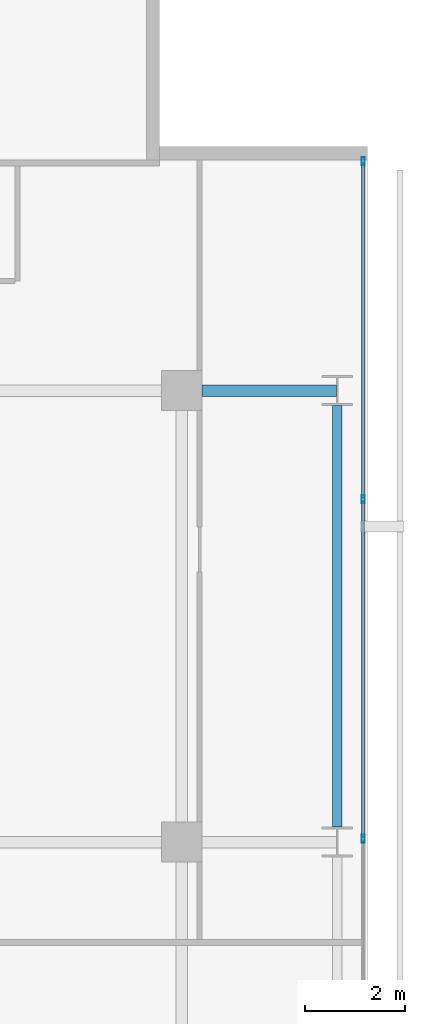
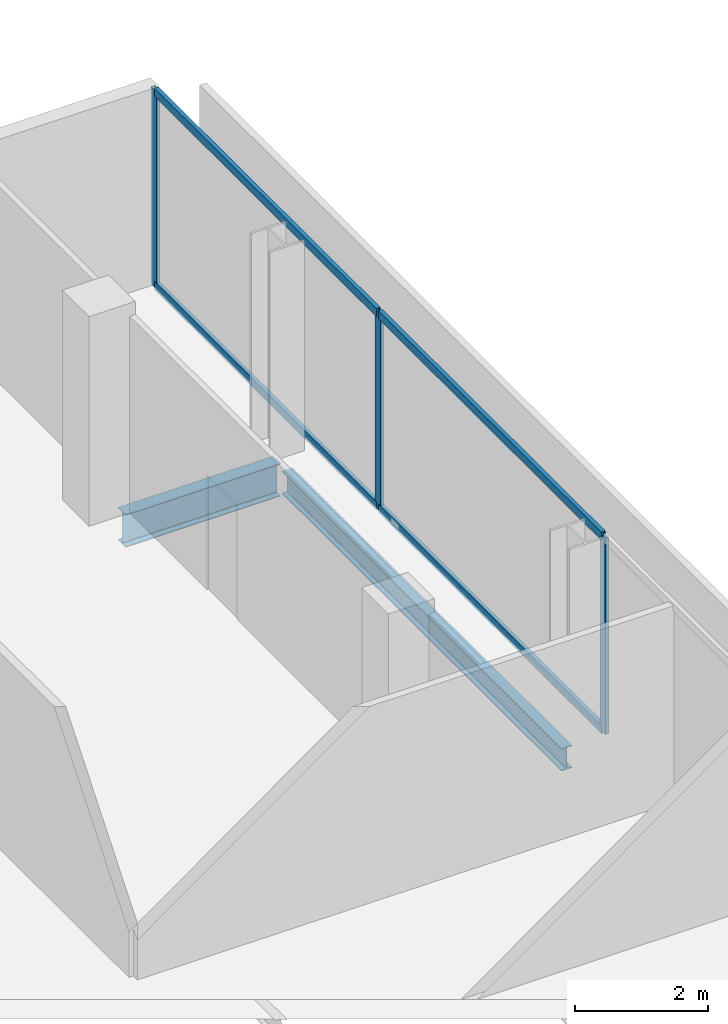
# One storey, part 24 of 33: 7 members, 2 beams, 1 element without a shape of its own.
"""IFC4 building model written with IfcOpenShell, lengths in metres."""

from ifc_helpers import new_model, si_unit, direction, frame, origin, origin_2d, place, context, subcontext, project, spatial, hollow_rectangle, i_section, extrude, material, layer, layer_set, material_profile, profile_set, type_object, element, aggregate, save


model = new_model("IFC4")

# Units and contexts
model_context = context("Model", 3, precision=1e-05, world=origin(), true_north=direction((0.0, 1.0)))
body_context = subcontext(model_context, "Body", "Model", "MODEL_VIEW")
ifc_project = project(units=[si_unit("LENGTHUNIT", "METRE"), si_unit("AREAUNIT", "SQUARE_METRE"), si_unit("VOLUMEUNIT", "CUBIC_METRE"), si_unit("PLANEANGLEUNIT", "RADIAN"), si_unit("MASSUNIT", "GRAM", prefix="KILO")], contexts=[model_context])

# Site, building, storey
site_placement = place(None, origin())
site = spatial("IfcSite", under=ifc_project, at=site_placement, CompositionType="ELEMENT")
building_placement = place(site_placement, origin())
building = spatial("IfcBuilding", under=site, at=building_placement, Name="Maruvema Waterfront Hotel and Observation Tower", CompositionType="ELEMENT")
storey_placement = place(building_placement, frame((0.0, 0.0, 169.75)))
storey = spatial("IfcBuildingStorey", under=building, at=storey_placement, Name="L41", CompositionType="ELEMENT", Elevation=169.75)

# Curtain wall, members
ifc_material_1 = material(Name="Anodised bronze aluminium and solar-control low-E IGU", Category="aluminium")
ifc_layer = layer(ifc_material_1, 0.159912109375, Name="Zone 2 Amber Inner Thermal Curtain Wall System CW-03")
ifc_layer_set = layer_set([ifc_layer], Name="Anodised bronze aluminium and solar-control low-E IGU")
curtain_wall_type = type_object("IfcCurtainWallType", Name="Zone 2 Amber Inner Thermal Curtain Wall System CW-03", PredefinedType="USERDEFINED", material=ifc_layer_set)
curtain_wall_placement = place(storey_placement, origin())
curtain_wall = element("IfcCurtainWall", 1, at=curtain_wall_placement, inside=storey, type_object=curtain_wall_type, Name="L41 Curtain Wall CW-L41-E", ObjectType="UNITISED CURTAIN WALL", PredefinedType="USERDEFINED")
ifc_material_2 = material(Name="Anodised architectural bronze aluminium", Category="aluminium")
ifc_material_profile_1 = material_profile(ifc_material_2, hollow_rectangle(XDim=0.070068359375, YDim=0.14990234375, WallThickness=0.00390625, at=origin_2d()), Name="ALU-T70x150")
ifc_profile_set_1 = profile_set([ifc_material_profile_1], Name="Anodised architectural bronze aluminium")
member_type_1 = type_object("IfcMemberType", Name="Curtain Wall Horizontal Transom ALU-T70x150", PredefinedType="USERDEFINED", material=ifc_profile_set_1)
member_1_placement = place(storey_placement, frame((62.419921875, 36.0966796875, 0.030029296875), z_axis=(0.0, 1.0, 0.0), x_axis=(-1.0, 0.0, 0.0)))
member_1 = element("IfcMember", 2, at=member_1_placement, type_object=member_type_1, Name="CW-03 transom 5.1", ObjectType="TRANSOM", PredefinedType="USERDEFINED", context=body_context, shape_type="SweptSolid", body=[
    extrude(hollow_rectangle(XDim=0.070068359375, YDim=0.14990234375, WallThickness=0.00390625, at=origin_2d()), origin(), (0.0, 0.0, 1.0), 6.70654296875),
])
member_2_placement = place(storey_placement, frame((62.419921875, 36.0966796875, 3.580078125), z_axis=(0.0, 1.0, 0.0), x_axis=(-1.0, 0.0, 0.0)))
member_2 = element("IfcMember", 3, at=member_2_placement, type_object=member_type_1, Name="CW-03 transom 5.2", ObjectType="TRANSOM", PredefinedType="USERDEFINED", context=body_context, shape_type="SweptSolid", body=[
    extrude(hollow_rectangle(XDim=0.070068359375, YDim=0.14990234375, WallThickness=0.00390625, at=origin_2d()), origin(), (0.0, 0.0, 1.0), 6.70654296875),
])
member_3_placement = place(storey_placement, frame((62.419921875, 42.86328125, 0.030029296875), z_axis=(0.0, 1.0, 0.0), x_axis=(-1.0, 0.0, 0.0)))
member_3 = element("IfcMember", 4, at=member_3_placement, type_object=member_type_1, Name="CW-03 transom 6.1", ObjectType="TRANSOM", PredefinedType="USERDEFINED", context=body_context, shape_type="SweptSolid", body=[
    extrude(hollow_rectangle(XDim=0.070068359375, YDim=0.14990234375, WallThickness=0.00390625, at=origin_2d()), origin(), (0.0, 0.0, 1.0), 6.6767578125),
])
member_4_placement = place(storey_placement, frame((62.419921875, 42.86328125, 3.580078125), z_axis=(0.0, 1.0, 0.0), x_axis=(-1.0, 0.0, 0.0)))
member_4 = element("IfcMember", 5, at=member_4_placement, type_object=member_type_1, Name="CW-03 transom 6.2", ObjectType="TRANSOM", PredefinedType="USERDEFINED", context=body_context, shape_type="SweptSolid", body=[
    extrude(hollow_rectangle(XDim=0.070068359375, YDim=0.14990234375, WallThickness=0.00390625, at=origin_2d()), origin(), (0.0, 0.0, 1.0), 6.6767578125),
])
ifc_material_3 = material(Name="Anodised architectural bronze aluminium", Category="aluminium")
ifc_material_profile_2 = material_profile(ifc_material_3, hollow_rectangle(XDim=0.06494140625, YDim=0.1650390625, WallThickness=0.00390625, at=origin_2d()), Name="ALU-M65x165")
ifc_profile_set_2 = profile_set([ifc_material_profile_2], Name="Anodised architectural bronze aluminium")
member_type_2 = type_object("IfcMemberType", Name="Curtain Wall Primary Mullion ALU-M65x165", PredefinedType="MULLION", material=ifc_profile_set_2)
member_5_placement = place(storey_placement, frame((62.419921875, 36.066650390625, 0.0), z_axis=(0.0, 0.0, 1.0), x_axis=(-1.0, 0.0, 0.0)))
member_5 = element("IfcMember", 6, at=member_5_placement, type_object=member_type_2, Name="CW-03 mullion 5", PredefinedType="MULLION", context=body_context, shape_type="SweptSolid", body=[
    extrude(hollow_rectangle(XDim=0.06494140625, YDim=0.1650390625, WallThickness=0.00390625, at=origin_2d()), origin(), (0.0, 0.0, 1.0), 3.610107421875),
])
member_6_placement = place(storey_placement, frame((62.419921875, 42.833251953125, 0.0), z_axis=(0.0, 0.0, 1.0), x_axis=(-1.0, 0.0, 0.0)))
member_6 = element("IfcMember", 7, at=member_6_placement, type_object=member_type_2, Name="CW-03 mullion 6", PredefinedType="MULLION", context=body_context, shape_type="SweptSolid", body=[
    extrude(hollow_rectangle(XDim=0.06494140625, YDim=0.1650390625, WallThickness=0.00390625, at=origin_2d()), origin(), (0.0, 0.0, 1.0), 3.610107421875),
])
member_7_placement = place(storey_placement, frame((62.419921875, 49.570068359375, 0.0), z_axis=(0.0, 0.0, 1.0), x_axis=(-1.0, 0.0, 0.0)))
member_7 = element("IfcMember", 8, at=member_7_placement, type_object=member_type_2, Name="CW-03 mullion 7", PredefinedType="MULLION", context=body_context, shape_type="SweptSolid", body=[
    extrude(hollow_rectangle(XDim=0.06494140625, YDim=0.1650390625, WallThickness=0.00390625, at=origin_2d()), origin(), (0.0, 0.0, 1.0), 3.610107421875),
])
aggregate(curtain_wall, [member_5, member_6, member_7, member_1, member_2, member_3, member_4])

# Beams
ifc_material_4 = material(Name="Steel ASTM A572 Grade 50", Category="steel")
ifc_material_profile_3 = material_profile(ifc_material_4, i_section(OverallWidth=0.180908203125, OverallDepth=0.4169921875, WebThickness=0.010986328125, FlangeThickness=0.018310546875, FilletRadius=0.014892578125, at=origin_2d()), Name="W410x85.0")
ifc_profile_set_3 = profile_set([ifc_material_profile_3], Name="Steel ASTM A572 Grade 50")
beam_type_1 = type_object("IfcBeamType", Name="Perimeter Spandrel Beam W410x85.0", PredefinedType="SPANDREL", material=ifc_profile_set_3)
beam_1_placement = place(storey_placement, frame((61.89990234375, 36.300048828125, -0.448486328125), z_axis=(0.0, 1.0, 0.0), x_axis=(-1.0, 0.0, 0.0)))
element("IfcBeam", 9, at=beam_1_placement, inside=storey, type_object=beam_type_1, Name="L41 Floor Girder NS-32", PredefinedType="SPANDREL", context=body_context, shape_type="SweptSolid", body=[
    extrude(i_section(OverallWidth=0.180908203125, OverallDepth=0.4169921875, WebThickness=0.010986328125, FlangeThickness=0.018310546875, FilletRadius=0.014892578125, at=origin_2d()), origin(), (0.0, 0.0, 1.0), 8.39990234375),
])
ifc_material_5 = material(Name="Steel ASTM A572 Grade 50", Category="steel")
ifc_material_profile_4 = material_profile(ifc_material_5, i_section(OverallWidth=0.22802734375, OverallDepth=0.60302734375, WebThickness=0.010498046875, FlangeThickness=0.014892578125, FilletRadius=0.01806640625, at=origin_2d()), Name="W610x101.0")
ifc_profile_set_4 = profile_set([ifc_material_profile_4], Name="Steel ASTM A572 Grade 50")
beam_type_2 = type_object("IfcBeamType", Name="Primary Floor Girder W610x101.0", PredefinedType="BEAM", material=ifc_profile_set_4)
beam_2_placement = place(storey_placement, frame((59.199951171875, 45.0, -0.54150390625), z_axis=(1.0, 0.0, 0.0), x_axis=(0.0, 1.0, 0.0)))
element("IfcBeam", 10, at=beam_2_placement, inside=storey, type_object=beam_type_2, Name="L41 Floor Girder EW-33", PredefinedType="BEAM", context=body_context, shape_type="SweptSolid", body=[
    extrude(i_section(OverallWidth=0.22802734375, OverallDepth=0.60302734375, WebThickness=0.010498046875, FlangeThickness=0.014892578125, FilletRadius=0.01806640625, at=origin_2d()), origin(), (0.0, 0.0, 1.0), 2.6875),
])

save(model, "model.ifc")
